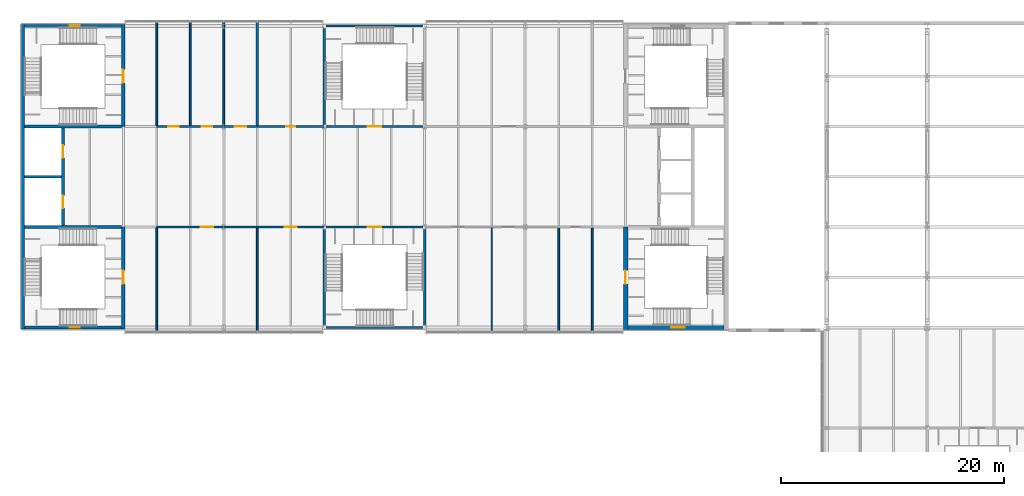
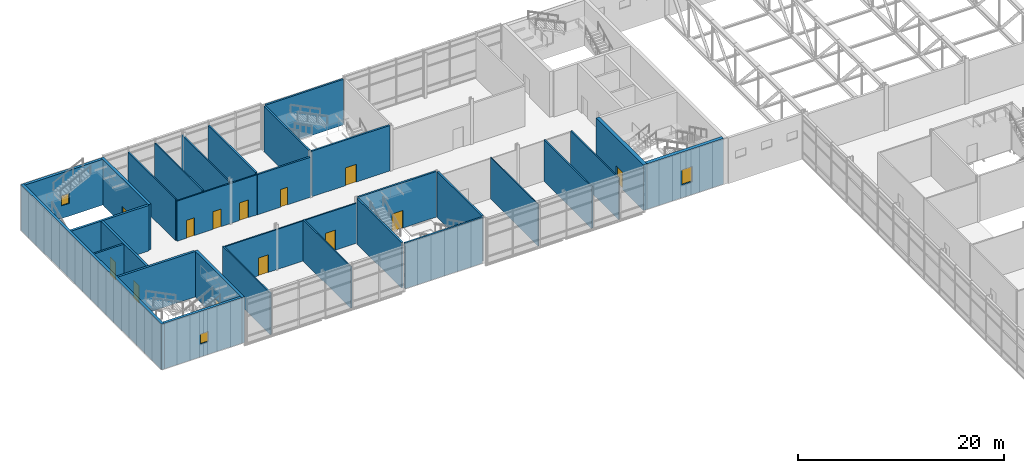
# One storey, part 37 of 53: 30 walls, 13 doors, 3 windows, 16 openings.
"""IFC4 building model written with IfcOpenShell, lengths in metres."""

from ifc_helpers import new_model, si_unit, direction, frame, frame_2d, origin, place, context, subcontext, project, spatial, rectangle, extrude, material, layer, layer_set, type_object, element, fill, save


model = new_model("IFC4")

# Units and contexts
model_context = context("Model", 3, precision=1e-05, world=origin(), true_north=direction((0.0, 1.0)))
body_context = subcontext(model_context, "Body", "Model", "MODEL_VIEW")
ifc_project = project(units=[si_unit("LENGTHUNIT", "METRE"), si_unit("AREAUNIT", "SQUARE_METRE"), si_unit("VOLUMEUNIT", "CUBIC_METRE"), si_unit("PLANEANGLEUNIT", "RADIAN"), si_unit("MASSUNIT", "GRAM", prefix="KILO")], contexts=[model_context])

# Site, building, storey
site_placement = place(None, origin())
site = spatial("IfcSite", under=ifc_project, at=site_placement, CompositionType="ELEMENT")
building_placement = place(site_placement, origin())
building = spatial("IfcBuilding", under=site, at=building_placement, Name="Azimuth Sports and Learning Centre", CompositionType="ELEMENT")
storey_placement = place(building_placement, frame((0.0, 0.0, 10.800048828125)))
storey = spatial("IfcBuildingStorey", under=building, at=storey_placement, Name="L02", CompositionType="ELEMENT", Elevation=10.800048828125)

# Walls
ifc_material_1 = material(Name="Dense masonry blockwork", Category="masonry")
ifc_layer_1 = layer(ifc_material_1, 0.199951171875)
ifc_layer_set_1 = layer_set([ifc_layer_1], Name="Dense masonry blockwork")
wall_type_1 = type_object("IfcWallType", Name="Blockwork wall 200 EI 120", PredefinedType="SOLIDWALL", material=ifc_layer_set_1)
wall_1_placement = place(storey_placement, frame((0.14990234375, 103.5, 0.0), z_axis=(0.0, 0.0, 1.0), x_axis=(1.0, 0.0, 0.0)))
element("IfcWall", 1, at=wall_1_placement, inside=storey, type_object=wall_type_1, Name="SD-WW-1-L02", PredefinedType="SOLIDWALL", context=body_context, shape_type="SweptSolid", body=[
    extrude(rectangle(XDim=3.3251953125, YDim=0.199951171875, at=frame_2d((1.66259765625, 0.0))), origin(), (0.0, 0.0, 1.0), 5.39990234375),
])
ifc_material_2 = material(Name="Gypsum board on steel studs", Category="steel")
ifc_layer_2 = layer(ifc_material_2, 0.10009765625)
ifc_layer_set_2 = layer_set([ifc_layer_2], Name="Gypsum board on steel studs")
wall_type_2 = type_object("IfcWallType", Name="Partition 100 EI 30", PredefinedType="PARTITIONING", material=ifc_layer_set_2)
wall_2_placement = place(storey_placement, frame((42.0, 89.699951171875, 0.0), z_axis=(0.0, 0.0, 1.0), x_axis=(0.0, 1.0, 0.0)))
element("IfcWall", 2, at=wall_2_placement, inside=storey, type_object=wall_type_2, Name="Partition 100 EI 30", PredefinedType="PARTITIONING", context=body_context, shape_type="SweptSolid", body=[
    extrude(rectangle(XDim=9.25, YDim=0.10009765625, at=frame_2d((4.625, 0.0))), origin(), (0.0, 0.0, 1.0), 4.919921875),
])

# Wall, openings, doors
ifc_material_3 = material(Name="Lightweight blockwork, rendered", Category="masonry")
ifc_layer_3 = layer(ifc_material_3, 0.14990234375)
ifc_layer_set_3 = layer_set([ifc_layer_3], Name="Lightweight blockwork, rendered")
wall_type_3 = type_object("IfcWallType", Name="Partition 150 EI 60", PredefinedType="PARTITIONING", material=ifc_layer_set_3)
wall_3_placement = place(storey_placement, frame((12.0, 99.0, 0.0), z_axis=(0.0, 0.0, 1.0), x_axis=(1.0, 0.0, 0.0)))
wall_3 = element("IfcWall", 3, at=wall_3_placement, inside=storey, type_object=wall_type_3, Name="Partition 150 EI 60", PredefinedType="PARTITIONING", context=body_context, shape_type="SweptSolid", body=[
    extrude(rectangle(XDim=15.0, YDim=0.14990234375, at=frame_2d((7.5, 0.0))), origin(), (0.0, 0.0, 1.0), 4.75),
])
opening_1_placement = place(wall_3_placement, frame((3.949951171875, 0.0, 0.0)))
opening_1 = element("IfcOpeningElement", 4, at=opening_1_placement, cuts=wall_3, Name="Opening D02-031", PredefinedType="OPENING", context=body_context, shape_type="SweptSolid", body=[
    extrude(rectangle(XDim=1.10009765625, YDim=2.10009765625, at=frame_2d((0.550048828125, 1.050048828125))), frame((0.0, 0.0859375, 0.0), z_axis=(0.0, -1.0, 0.0), x_axis=(1.0, 0.0, 0.0)), (0.0, 0.0, 1.0), 0.171875),
])
opening_2_placement = place(wall_3_placement, frame((11.449951171875, 0.0, 0.0)))
opening_2 = element("IfcOpeningElement", 5, at=opening_2_placement, cuts=wall_3, Name="Opening D02-032", PredefinedType="OPENING", context=body_context, shape_type="SweptSolid", body=[
    extrude(rectangle(XDim=1.10009765625, YDim=2.39990234375, at=frame_2d((0.550048828125, 1.199951171875))), frame((0.0, 0.0859375, 0.0), z_axis=(0.0, -1.0, 0.0), x_axis=(1.0, 0.0, 0.0)), (0.0, 0.0, 1.0), 0.171875),
])
ifc_material_4 = material(Name="Timber fire door set", Category="wood")
door_type_1 = type_object("IfcDoorType", Name="Timber door single 1100x2100 FD60", OperationType="NOTDEFINED", PredefinedType="DOOR", material=ifc_material_4)
door_1_placement = place(opening_1_placement, frame((1.10009765625, 0.0, 0.0), z_axis=(0.0, 0.0, 1.0), x_axis=(-1.0, 0.0, 0.0)))
door_1 = element("IfcDoor", 6, at=door_1_placement, inside=storey, type_object=door_type_1, Name="Door D02-031", OperationType="SINGLE_SWING_LEFT", OverallHeight=2.10009765625, OverallWidth=1.10009765625, PredefinedType="DOOR", context=body_context, shape_type="SweptSolid", body=[
    extrude(rectangle(XDim=1.10009765625, YDim=2.10009765625, at=frame_2d((0.550048828125, 1.050048828125))), frame((0.0, 0.02490234375, 0.0), z_axis=(0.0, -1.0, 0.0), x_axis=(1.0, 0.0, 0.0)), (0.0, 0.0, 1.0), 0.050048828125),
])
fill(opening_1, door_1)
ifc_material_5 = material(Name="Timber fire door set", Category="wood")
door_type_2 = type_object("IfcDoorType", Name="Timber door single 1100x2400 FD60", OperationType="NOTDEFINED", PredefinedType="DOOR", material=ifc_material_5)
door_2_placement = place(opening_2_placement, frame((1.10009765625, 0.0, 0.0), z_axis=(0.0, 0.0, 1.0), x_axis=(-1.0, 0.0, 0.0)))
door_2 = element("IfcDoor", 7, at=door_2_placement, inside=storey, type_object=door_type_2, Name="Door D02-032", OperationType="SINGLE_SWING_RIGHT", OverallHeight=2.39990234375, OverallWidth=1.10009765625, PredefinedType="DOOR", context=body_context, shape_type="SweptSolid", body=[
    extrude(rectangle(XDim=1.10009765625, YDim=2.39990234375, at=frame_2d((0.550048828125, 1.199951171875))), frame((0.0, 0.02490234375, 0.0), z_axis=(0.0, -1.0, 0.0), x_axis=(1.0, 0.0, 0.0)), (0.0, 0.0, 1.0), 0.050048828125),
])
fill(opening_2, door_2)

wall_4_placement = place(storey_placement, frame((12.0, 108.0, 0.0), z_axis=(0.0, 0.0, 1.0), x_axis=(1.0, 0.0, 0.0)))
wall_4 = element("IfcWall", 8, at=wall_4_placement, inside=storey, type_object=wall_type_3, Name="Partition 150 EI 60", PredefinedType="PARTITIONING", context=body_context, shape_type="SweptSolid", body=[
    extrude(rectangle(XDim=9.0, YDim=0.14990234375, at=frame_2d((4.5, 0.0))), origin(), (0.0, 0.0, 1.0), 4.75),
])
opening_3_placement = place(wall_4_placement, frame((1.050048828125, 0.0, 0.0)))
opening_3 = element("IfcOpeningElement", 9, at=opening_3_placement, cuts=wall_4, Name="Opening D02-036", PredefinedType="OPENING", context=body_context, shape_type="SweptSolid", body=[
    extrude(rectangle(XDim=0.89990234375, YDim=2.10009765625, at=frame_2d((0.449951171875, 1.050048828125))), frame((0.0, 0.0859375, 0.0), z_axis=(0.0, -1.0, 0.0), x_axis=(1.0, 0.0, 0.0)), (0.0, 0.0, 1.0), 0.171875),
])
opening_4_placement = place(wall_4_placement, frame((4.050048828125, 0.0, 0.0)))
opening_4 = element("IfcOpeningElement", 10, at=opening_4_placement, cuts=wall_4, Name="Opening D02-037", PredefinedType="OPENING", context=body_context, shape_type="SweptSolid", body=[
    extrude(rectangle(XDim=0.89990234375, YDim=2.10009765625, at=frame_2d((0.449951171875, 1.050048828125))), frame((0.0, 0.0859375, 0.0), z_axis=(0.0, -1.0, 0.0), x_axis=(1.0, 0.0, 0.0)), (0.0, 0.0, 1.0), 0.171875),
])
opening_5_placement = place(wall_4_placement, frame((7.0, 0.0, 0.0)))
opening_5 = element("IfcOpeningElement", 11, at=opening_5_placement, cuts=wall_4, Name="Opening D02-038", PredefinedType="OPENING", context=body_context, shape_type="SweptSolid", body=[
    extrude(rectangle(XDim=1.0, YDim=2.10009765625, at=frame_2d((0.5, 1.050048828125))), frame((0.0, 0.0859375, 0.0), z_axis=(0.0, -1.0, 0.0), x_axis=(1.0, 0.0, 0.0)), (0.0, 0.0, 1.0), 0.171875),
])
ifc_material_6 = material(Name="Timber fire door set", Category="wood")
door_type_3 = type_object("IfcDoorType", Name="Timber door single 1000x2100 FD60", OperationType="NOTDEFINED", PredefinedType="DOOR", material=ifc_material_6)
door_3_placement = place(opening_5_placement, origin())
door_3 = element("IfcDoor", 12, at=door_3_placement, inside=storey, type_object=door_type_3, Name="Door D02-038", OperationType="SINGLE_SWING_LEFT", OverallHeight=2.10009765625, OverallWidth=1.0, PredefinedType="DOOR", context=body_context, shape_type="SweptSolid", body=[
    extrude(rectangle(XDim=1.0, YDim=2.10009765625, at=frame_2d((0.5, 1.050048828125))), frame((0.0, 0.02490234375, 0.0), z_axis=(0.0, -1.0, 0.0), x_axis=(1.0, 0.0, 0.0)), (0.0, 0.0, 1.0), 0.050048828125),
])
fill(opening_5, door_3)
ifc_material_7 = material(Name="Timber fire door set", Category="wood")
door_type_4 = type_object("IfcDoorType", Name="Timber door single 900x2100 FD60", OperationType="NOTDEFINED", PredefinedType="DOOR", material=ifc_material_7)
door_4_placement = place(opening_3_placement, origin())
door_4 = element("IfcDoor", 13, at=door_4_placement, inside=storey, type_object=door_type_4, Name="Door D02-036", OperationType="SINGLE_SWING_RIGHT", OverallHeight=2.10009765625, OverallWidth=0.89990234375, PredefinedType="DOOR", context=body_context, shape_type="SweptSolid", body=[
    extrude(rectangle(XDim=0.89990234375, YDim=2.10009765625, at=frame_2d((0.449951171875, 1.050048828125))), frame((0.0, 0.02490234375, 0.0), z_axis=(0.0, -1.0, 0.0), x_axis=(1.0, 0.0, 0.0)), (0.0, 0.0, 1.0), 0.050048828125),
])
fill(opening_3, door_4)
door_5_placement = place(opening_4_placement, origin())
door_5 = element("IfcDoor", 14, at=door_5_placement, inside=storey, type_object=door_type_4, Name="Door D02-037", OperationType="SINGLE_SWING_LEFT", OverallHeight=2.10009765625, OverallWidth=0.89990234375, PredefinedType="DOOR", context=body_context, shape_type="SweptSolid", body=[
    extrude(rectangle(XDim=0.89990234375, YDim=2.10009765625, at=frame_2d((0.449951171875, 1.050048828125))), frame((0.0, 0.02490234375, 0.0), z_axis=(0.0, -1.0, 0.0), x_axis=(1.0, 0.0, 0.0)), (0.0, 0.0, 1.0), 0.050048828125),
])
fill(opening_4, door_5)

# Walls
for number, where, z_axis, x_axis, name in (
    (15, (12.0, 89.699951171875, 0.0), (0.0, 0.0, 1.0), (0.0, 1.0, 0.0), "Partition 150 EI 60"),
    (16, (12.0, 108.074951171875, 0.0), (0.0, 0.0, 1.0), (0.0, 1.0, 0.0), "Partition 150 EI 60"),
    (17, (15.0, 108.074951171875, 0.0), (0.0, 0.0, 1.0), (0.0, 1.0, 0.0), "Partition 150 EI 60"),
):
    element("IfcWall", number, at=place(storey_placement, frame(where, z_axis=z_axis, x_axis=x_axis)), inside=storey, type_object=wall_type_3, Name=name, PredefinedType="PARTITIONING", context=body_context, shape_type="SweptSolid", body=[
        extrude(rectangle(XDim=9.22509765625, YDim=0.14990234375, at=frame_2d((4.612548828125, 0.0))), origin(), (0.0, 0.0, 1.0), 4.919921875),
    ])
wall_5_placement = place(storey_placement, frame((18.0, 108.074951171875, 0.0), z_axis=(0.0, 0.0, 1.0), x_axis=(0.0, 1.0, 0.0)))
element("IfcWall", 18, at=wall_5_placement, inside=storey, type_object=wall_type_3, Name="Partition 150 EI 60", PredefinedType="PARTITIONING", context=body_context, shape_type="SweptSolid", body=[
    extrude(rectangle(XDim=9.22509765625, YDim=0.14990234375, at=frame_2d((4.612548828125, 0.0))), origin(), (0.0, 0.0, 1.0), 4.889892578125),
])
for number, where, z_axis, x_axis, name in (
    (19, (21.0, 89.699951171875, 0.0), (0.0, 0.0, 1.0), (0.0, 1.0, 0.0), "Partition 150 EI 60"),
    (20, (48.0, 89.699951171875, 0.0), (0.0, 0.0, 1.0), (0.0, 1.0, 0.0), "Partition 150 EI 60"),
    (21, (51.0, 89.699951171875, 0.0), (0.0, 0.0, 1.0), (0.0, 1.0, 0.0), "Partition 150 EI 60"),
):
    element("IfcWall", number, at=place(storey_placement, frame(where, z_axis=z_axis, x_axis=x_axis)), inside=storey, type_object=wall_type_3, Name=name, PredefinedType="PARTITIONING", context=body_context, shape_type="SweptSolid", body=[
        extrude(rectangle(XDim=9.22509765625, YDim=0.14990234375, at=frame_2d((4.612548828125, 0.0))), origin(), (0.0, 0.0, 1.0), 4.919921875),
    ])

# Wall, opening, door
ifc_material_8 = material(Name="Reinforced masonry blockwork", Category="masonry")
ifc_layer_4 = layer(ifc_material_8, 0.199951171875)
ifc_layer_set_4 = layer_set([ifc_layer_4], Name="Reinforced masonry blockwork")
wall_type_4 = type_object("IfcWallType", Name="Plant and shaft wall 200 EI 120", PredefinedType="SOLIDWALL", material=ifc_layer_set_4)
wall_6_placement = place(storey_placement, frame((21.0, 108.0, 0.0), z_axis=(0.0, 0.0, 1.0), x_axis=(1.0, 0.0, 0.0)))
wall_6 = element("IfcWall", 22, at=wall_6_placement, inside=storey, type_object=wall_type_4, Name="Plant and shaft wall 200 EI 120", PredefinedType="SOLIDWALL", context=body_context, shape_type="SweptSolid", body=[
    extrude(rectangle(XDim=6.0, YDim=0.199951171875, at=frame_2d((3.0, 0.0))), origin(), (0.0, 0.0, 1.0), 4.75),
])
opening_6_placement = place(wall_6_placement, frame((2.60009765625, 0.0, 0.0)))
opening_6 = element("IfcOpeningElement", 23, at=opening_6_placement, cuts=wall_6, Name="Opening D02-039", PredefinedType="OPENING", context=body_context, shape_type="SweptSolid", body=[
    extrude(rectangle(XDim=0.800048828125, YDim=2.10009765625, at=frame_2d((0.39990234375, 1.050048828125))), frame((0.0, 0.11083984375, 0.0), z_axis=(0.0, -1.0, 0.0), x_axis=(1.0, 0.0, 0.0)), (0.0, 0.0, 1.0), 0.221923828125),
])
ifc_material_9 = material(Name="Steel fire door set", Category="steel")
door_type_5 = type_object("IfcDoorType", Name="Steel door single 800x2100 FD120", OperationType="NOTDEFINED", PredefinedType="DOOR", material=ifc_material_9)
door_6_placement = place(opening_6_placement, origin())
door_6 = element("IfcDoor", 24, at=door_6_placement, inside=storey, type_object=door_type_5, Name="Door D02-039", OperationType="SINGLE_SWING_RIGHT", OverallHeight=2.10009765625, OverallWidth=0.800048828125, PredefinedType="DOOR", context=body_context, shape_type="SweptSolid", body=[
    extrude(rectangle(XDim=0.800048828125, YDim=2.10009765625, at=frame_2d((0.39990234375, 1.050048828125))), frame((0.0, 0.02490234375, 0.0), z_axis=(0.0, -1.0, 0.0), x_axis=(1.0, 0.0, 0.0)), (0.0, 0.0, 1.0), 0.050048828125),
])
fill(opening_6, door_6)

# Wall
wall_7_placement = place(storey_placement, frame((21.0, 108.10009765625, 0.0), z_axis=(0.0, 0.0, 1.0), x_axis=(0.0, 1.0, 0.0)))
element("IfcWall", 25, at=wall_7_placement, inside=storey, type_object=wall_type_4, Name="Plant and shaft wall 200 EI 120", PredefinedType="SOLIDWALL", context=body_context, shape_type="SweptSolid", body=[
    extrude(rectangle(XDim=9.199951171875, YDim=0.199951171875, at=frame_2d((4.60009765625, 0.0))), origin(), (0.0, 0.0, 1.0), 4.919921875),
])

# Wall, opening, door
ifc_material_10 = material(Name="Concrete C40/50", Category="concrete")
ifc_layer_5 = layer(ifc_material_10, 0.199951171875)
ifc_layer_set_5 = layer_set([ifc_layer_5], Name="Concrete C40/50")
wall_type_5 = type_object("IfcWallType", Name="RC cell wall 200 EI 120", PredefinedType="SHEAR", material=ifc_layer_set_5)
wall_8_placement = place(storey_placement, frame((27.14990234375, 99.0, 0.0), z_axis=(0.0, 0.0, 1.0), x_axis=(1.0, 0.0, 0.0)))
wall_8 = element("IfcWall", 26, at=wall_8_placement, inside=storey, type_object=wall_type_5, Name="CE-WM1-N-L02", PredefinedType="SHEAR", context=body_context, shape_type="SweptSolid", body=[
    extrude(rectangle(XDim=8.7001953125, YDim=0.199951171875, at=frame_2d((4.35009765625, 0.0))), origin(), (0.0, 0.0, 1.0), 5.39990234375),
])
opening_7_placement = place(wall_8_placement, frame((3.75, 0.0, 0.0)))
opening_7 = element("IfcOpeningElement", 27, at=opening_7_placement, cuts=wall_8, Name="Opening D02-009", PredefinedType="OPENING", context=body_context, shape_type="SweptSolid", body=[
    extrude(rectangle(XDim=1.199951171875, YDim=2.10009765625, at=frame_2d((0.60009765625, 1.050048828125))), frame((0.0, 0.11083984375, 0.0), z_axis=(0.0, -1.0, 0.0), x_axis=(1.0, 0.0, 0.0)), (0.0, 0.0, 1.0), 0.221923828125),
])
ifc_material_11 = material(Name="Steel", Category="steel")
door_type_6 = type_object("IfcDoorType", Name="Stair fire door 1200 x 2100", OperationType="NOTDEFINED", PredefinedType="DOOR", material=ifc_material_11)
door_7_placement = place(opening_7_placement, origin())
door_7 = element("IfcDoor", 28, at=door_7_placement, inside=storey, type_object=door_type_6, Name="Stair door WM1 L02", OperationType="SINGLE_SWING_LEFT", OverallHeight=2.10009765625, OverallWidth=1.199951171875, PredefinedType="DOOR", context=body_context, shape_type="SweptSolid", body=[
    extrude(rectangle(XDim=1.199951171875, YDim=2.10009765625, at=frame_2d((0.60009765625, 1.050048828125))), frame((0.0, 0.02490234375, 0.0), z_axis=(0.0, -1.0, 0.0), x_axis=(1.0, 0.0, 0.0)), (0.0, 0.0, 1.0), 0.050048828125),
])
fill(opening_7, door_7)

# Walls
for number, where, z_axis, x_axis, name in (
    (29, (27.0, 90.179931640625, 0.0), (0.0, 0.0, 1.0), (0.0, 1.0, 0.0), "CE-WM1-W-L02"),
    (30, (36.0, 90.179931640625, 0.0), (0.0, 0.0, 1.0), (0.0, 1.0, 0.0), "CE-WM1-E-L02"),
):
    element("IfcWall", number, at=place(storey_placement, frame(where, z_axis=z_axis, x_axis=x_axis)), inside=storey, type_object=wall_type_5, Name=name, PredefinedType="SHEAR", context=body_context, shape_type="SweptSolid", body=[
        extrude(rectangle(XDim=8.64013671875, YDim=0.199951171875, at=frame_2d((4.320068359375, 0.0))), origin(), (0.0, 0.0, 1.0), 5.39990234375),
    ])

# Wall, opening, door
wall_9_placement = place(storey_placement, frame((27.14990234375, 108.0, 0.0), z_axis=(0.0, 0.0, 1.0), x_axis=(1.0, 0.0, 0.0)))
wall_9 = element("IfcWall", 31, at=wall_9_placement, inside=storey, type_object=wall_type_5, Name="CE-WM2-S-L02", PredefinedType="SHEAR", context=body_context, shape_type="SweptSolid", body=[
    extrude(rectangle(XDim=8.7001953125, YDim=0.199951171875, at=frame_2d((4.35009765625, 0.0))), origin(), (0.0, 0.0, 1.0), 5.39990234375),
])
opening_8_placement = place(wall_9_placement, frame((3.75, 0.0, 0.0)))
opening_8 = element("IfcOpeningElement", 32, at=opening_8_placement, cuts=wall_9, Name="Opening D02-010", PredefinedType="OPENING", context=body_context, shape_type="SweptSolid", body=[
    extrude(rectangle(XDim=1.199951171875, YDim=2.10009765625, at=frame_2d((0.60009765625, 1.050048828125))), frame((0.0, 0.11083984375, 0.0), z_axis=(0.0, -1.0, 0.0), x_axis=(1.0, 0.0, 0.0)), (0.0, 0.0, 1.0), 0.221923828125),
])
door_8_placement = place(opening_8_placement, frame((1.199951171875, 0.0, 0.0), z_axis=(0.0, 0.0, 1.0), x_axis=(-1.0, 0.0, 0.0)))
door_8 = element("IfcDoor", 33, at=door_8_placement, inside=storey, type_object=door_type_6, Name="Stair door WM2 L02", OperationType="SINGLE_SWING_RIGHT", OverallHeight=2.10009765625, OverallWidth=1.199951171875, PredefinedType="DOOR", context=body_context, shape_type="SweptSolid", body=[
    extrude(rectangle(XDim=1.199951171875, YDim=2.10009765625, at=frame_2d((0.60009765625, 1.050048828125))), frame((0.0, 0.02490234375, 0.0), z_axis=(0.0, -1.0, 0.0), x_axis=(1.0, 0.0, 0.0)), (0.0, 0.0, 1.0), 0.050048828125),
])
fill(opening_8, door_8)

# Walls
wall_10_placement = place(storey_placement, frame((27.0, 108.179931640625, 0.0), z_axis=(0.0, 0.0, 1.0), x_axis=(0.0, 1.0, 0.0)))
element("IfcWall", 34, at=wall_10_placement, inside=storey, type_object=wall_type_5, Name="CE-WM2-W-L02", PredefinedType="SHEAR", context=body_context, shape_type="SweptSolid", body=[
    extrude(rectangle(XDim=8.64013671875, YDim=0.199951171875, at=frame_2d((4.320068359375, 0.0))), origin(), (0.0, 0.0, 1.0), 5.39990234375),
])
ifc_material_12 = material(Name="Concrete C40/50", Category="concrete")
ifc_layer_6 = layer(ifc_material_12, 0.25)
ifc_layer_set_6 = layer_set([ifc_layer_6], Name="Concrete C40/50")
wall_type_6 = type_object("IfcWallType", Name="RC core wall 250", PredefinedType="SHEAR", material=ifc_layer_set_6)
for number, where, z_axis, x_axis, name in (
    (35, (0.14990234375, 99.0, 0.0), (0.0, 0.0, 1.0), (1.0, 0.0, 0.0), "Core wall WW D1 L02"),
    (36, (0.14990234375, 108.0, 0.0), (0.0, 0.0, 1.0), (1.0, 0.0, 0.0), "Core wall WW D2 L02"),
):
    element("IfcWall", number, at=place(storey_placement, frame(where, z_axis=z_axis, x_axis=x_axis)), inside=storey, type_object=wall_type_6, Name=name, PredefinedType="SHEAR", context=body_context, shape_type="SweptSolid", body=[
        extrude(rectangle(XDim=8.7001953125, YDim=0.25, at=frame_2d((4.35009765625, 0.0))), origin(), (0.0, 0.0, 1.0), 5.39990234375),
    ])

# Wall, openings, doors
wall_11_placement = place(storey_placement, frame((3.60009765625, 99.125, 0.0), z_axis=(0.0, 0.0, 1.0), x_axis=(0.0, 1.0, 0.0)))
wall_11 = element("IfcWall", 37, at=wall_11_placement, inside=storey, type_object=wall_type_6, Name="Core wall WW LB1 L02", PredefinedType="SHEAR", context=body_context, shape_type="SweptSolid", body=[
    extrude(rectangle(XDim=8.75, YDim=0.25, at=frame_2d((4.375, 0.0))), origin(), (0.0, 0.0, 1.0), 5.39990234375),
])
opening_9_placement = place(wall_11_placement, frame((1.574951171875, 0.0, 0.0)))
opening_9 = element("IfcOpeningElement", 38, at=opening_9_placement, cuts=wall_11, Name="Opening D02-025", PredefinedType="OPENING", context=body_context, shape_type="SweptSolid", body=[
    extrude(rectangle(XDim=1.10009765625, YDim=2.10009765625, at=frame_2d((0.550048828125, 1.050048828125))), frame((0.0, 0.135986328125, 0.0), z_axis=(0.0, -1.0, 0.0), x_axis=(1.0, 0.0, 0.0)), (0.0, 0.0, 1.0), 0.27197265625),
])
opening_10_placement = place(wall_11_placement, frame((6.074951171875, 0.0, 0.0)))
opening_10 = element("IfcOpeningElement", 39, at=opening_10_placement, cuts=wall_11, Name="Opening D02-026", PredefinedType="OPENING", context=body_context, shape_type="SweptSolid", body=[
    extrude(rectangle(XDim=1.10009765625, YDim=2.10009765625, at=frame_2d((0.550048828125, 1.050048828125))), frame((0.0, 0.135986328125, 0.0), z_axis=(0.0, -1.0, 0.0), x_axis=(1.0, 0.0, 0.0)), (0.0, 0.0, 1.0), 0.27197265625),
])
ifc_material_13 = material(Name="Stainless steel", Category="steel")
door_type_7 = type_object("IfcDoorType", Name="Lift landing door 1100 x 2100", OperationType="DOUBLE_DOOR_SLIDING", PredefinedType="DOOR", material=ifc_material_13)
door_9_placement = place(opening_9_placement, origin())
door_9 = element("IfcDoor", 40, at=door_9_placement, inside=storey, type_object=door_type_7, Name="Landing door LWW1 L02", OperationType="DOUBLE_DOOR_SLIDING", OverallHeight=2.10009765625, OverallWidth=1.10009765625, PredefinedType="DOOR", context=body_context, shape_type="SweptSolid", body=[
    extrude(rectangle(XDim=1.10009765625, YDim=2.10009765625, at=frame_2d((0.550048828125, 1.050048828125))), frame((0.0, 0.02490234375, 0.0), z_axis=(0.0, -1.0, 0.0), x_axis=(1.0, 0.0, 0.0)), (0.0, 0.0, 1.0), 0.050048828125),
])
fill(opening_9, door_9)
door_10_placement = place(opening_10_placement, origin())
door_10 = element("IfcDoor", 41, at=door_10_placement, inside=storey, type_object=door_type_7, Name="Landing door LWW2 L02", OperationType="DOUBLE_DOOR_SLIDING", OverallHeight=2.10009765625, OverallWidth=1.10009765625, PredefinedType="DOOR", context=body_context, shape_type="SweptSolid", body=[
    extrude(rectangle(XDim=1.10009765625, YDim=2.10009765625, at=frame_2d((0.550048828125, 1.050048828125))), frame((0.0, 0.02490234375, 0.0), z_axis=(0.0, -1.0, 0.0), x_axis=(1.0, 0.0, 0.0)), (0.0, 0.0, 1.0), 0.050048828125),
])
fill(opening_10, door_10)

# Wall, opening, door
ifc_material_14 = material(Name="Concrete C40/50", Category="concrete")
ifc_layer_7 = layer(ifc_material_14, 0.300048828125)
ifc_layer_set_7 = layer_set([ifc_layer_7], Name="Concrete C40/50")
wall_type_7 = type_object("IfcWallType", Name="RC core wall 300", PredefinedType="SHEAR", material=ifc_layer_set_7)
wall_12_placement = place(storey_placement, frame((9.0, 89.85009765625, 0.0), z_axis=(0.0, 0.0, 1.0), x_axis=(0.0, 1.0, 0.0)))
wall_12 = element("IfcWall", 42, at=wall_12_placement, inside=storey, type_object=wall_type_7, Name="Core wall WW ES L02", PredefinedType="SHEAR", context=body_context, shape_type="SweptSolid", body=[
    extrude(rectangle(XDim=9.14990234375, YDim=0.300048828125, at=frame_2d((4.574951171875, 0.0))), origin(), (0.0, 0.0, 1.0), 5.39990234375),
])
opening_11_placement = place(wall_12_placement, frame((4.050048828125, 0.0, 0.0)))
opening_11 = element("IfcOpeningElement", 43, at=opening_11_placement, cuts=wall_12, Name="Opening D02-005", PredefinedType="OPENING", context=body_context, shape_type="SweptSolid", body=[
    extrude(rectangle(XDim=1.199951171875, YDim=2.10009765625, at=frame_2d((0.60009765625, 1.050048828125))), frame((0.0, 0.1611328125, 0.0), z_axis=(0.0, -1.0, 0.0), x_axis=(1.0, 0.0, 0.0)), (0.0, 0.0, 1.0), 0.322021484375),
])
door_11_placement = place(opening_11_placement, frame((1.199951171875, 0.0, 0.0), z_axis=(0.0, 0.0, 1.0), x_axis=(-1.0, 0.0, 0.0)))
door_11 = element("IfcDoor", 44, at=door_11_placement, inside=storey, type_object=door_type_6, Name="Stair door WW1 L02", OperationType="SINGLE_SWING_LEFT", OverallHeight=2.10009765625, OverallWidth=1.199951171875, PredefinedType="DOOR", context=body_context, shape_type="SweptSolid", body=[
    extrude(rectangle(XDim=1.199951171875, YDim=2.10009765625, at=frame_2d((0.60009765625, 1.050048828125))), frame((0.0, 0.02490234375, 0.0), z_axis=(0.0, -1.0, 0.0), x_axis=(1.0, 0.0, 0.0)), (0.0, 0.0, 1.0), 0.050048828125),
])
fill(opening_11, door_11)

wall_13_placement = place(storey_placement, frame((9.0, 108.0, 0.0), z_axis=(0.0, 0.0, 1.0), x_axis=(0.0, 1.0, 0.0)))
wall_13 = element("IfcWall", 45, at=wall_13_placement, inside=storey, type_object=wall_type_7, Name="Core wall WW EN L02", PredefinedType="SHEAR", context=body_context, shape_type="SweptSolid", body=[
    extrude(rectangle(XDim=9.14990234375, YDim=0.300048828125, at=frame_2d((4.574951171875, 0.0))), origin(), (0.0, 0.0, 1.0), 5.39990234375),
])
opening_12_placement = place(wall_13_placement, frame((3.89990234375, 0.0, 0.0)))
opening_12 = element("IfcOpeningElement", 46, at=opening_12_placement, cuts=wall_13, Name="Opening D02-006", PredefinedType="OPENING", context=body_context, shape_type="SweptSolid", body=[
    extrude(rectangle(XDim=1.199951171875, YDim=2.10009765625, at=frame_2d((0.60009765625, 1.050048828125))), frame((0.0, 0.1611328125, 0.0), z_axis=(0.0, -1.0, 0.0), x_axis=(1.0, 0.0, 0.0)), (0.0, 0.0, 1.0), 0.322021484375),
])
door_12_placement = place(opening_12_placement, frame((1.199951171875, 0.0, 0.0), z_axis=(0.0, 0.0, 1.0), x_axis=(-1.0, 0.0, 0.0)))
door_12 = element("IfcDoor", 47, at=door_12_placement, inside=storey, type_object=door_type_6, Name="Stair door WW2 L02", OperationType="SINGLE_SWING_RIGHT", OverallHeight=2.10009765625, OverallWidth=1.199951171875, PredefinedType="DOOR", context=body_context, shape_type="SweptSolid", body=[
    extrude(rectangle(XDim=1.199951171875, YDim=2.10009765625, at=frame_2d((0.60009765625, 1.050048828125))), frame((0.0, 0.02490234375, 0.0), z_axis=(0.0, -1.0, 0.0), x_axis=(1.0, 0.0, 0.0)), (0.0, 0.0, 1.0), 0.050048828125),
])
fill(opening_12, door_12)

ifc_material_15 = material(Name="Concrete C40/50", Category="concrete")
ifc_layer_8 = layer(ifc_material_15, 0.39990234375)
ifc_layer_set_8 = layer_set([ifc_layer_8], Name="Concrete C40/50")
wall_type_8 = type_object("IfcWallType", Name="RC core wall 400", PredefinedType="SHEAR", material=ifc_layer_set_8)
wall_14_placement = place(storey_placement, frame((54.0, 89.800048828125, 0.0), z_axis=(0.0, 0.0, 1.0), x_axis=(0.0, 1.0, 0.0)))
wall_14 = element("IfcWall", 48, at=wall_14_placement, inside=storey, type_object=wall_type_8, Name="Core wall W WS L02", PredefinedType="SHEAR", context=body_context, shape_type="SweptSolid", body=[
    extrude(rectangle(XDim=9.199951171875, YDim=0.39990234375, at=frame_2d((4.60009765625, 0.0))), origin(), (0.0, 0.0, 1.0), 5.39990234375),
])
opening_13_placement = place(wall_14_placement, frame((4.10009765625, 0.0, 0.0)))
opening_13 = element("IfcOpeningElement", 49, at=opening_13_placement, cuts=wall_14, Name="Opening D02-001", PredefinedType="OPENING", context=body_context, shape_type="SweptSolid", body=[
    extrude(rectangle(XDim=1.199951171875, YDim=2.10009765625, at=frame_2d((0.60009765625, 1.050048828125))), frame((0.0, 0.2109375, 0.0), z_axis=(0.0, -1.0, 0.0), x_axis=(1.0, 0.0, 0.0)), (0.0, 0.0, 1.0), 0.421875),
])
door_13_placement = place(opening_13_placement, origin())
door_13 = element("IfcDoor", 50, at=door_13_placement, inside=storey, type_object=door_type_6, Name="Stair door W1 L02", OperationType="SINGLE_SWING_RIGHT", OverallHeight=2.10009765625, OverallWidth=1.199951171875, PredefinedType="DOOR", context=body_context, shape_type="SweptSolid", body=[
    extrude(rectangle(XDim=1.199951171875, YDim=2.10009765625, at=frame_2d((0.60009765625, 1.050048828125))), frame((0.0, 0.02490234375, 0.0), z_axis=(0.0, -1.0, 0.0), x_axis=(1.0, 0.0, 0.0)), (0.0, 0.0, 1.0), 0.050048828125),
])
fill(opening_13, door_13)

# Walls
ifc_material_16 = material(Name="Concrete C40/50", Category="concrete")
ifc_layer_9 = layer(ifc_material_16, 0.199951171875)
ifc_layer_set_9 = layer_set([ifc_layer_9], Name="Concrete C40/50")
wall_type_9 = type_object("IfcWallType", Name="RC external cell wall 200 EI 120", PredefinedType="SHEAR", material=ifc_layer_set_9)
for number, where, z_axis, x_axis, name in (
    (51, (27.14990234375, 90.0, 0.0), (0.0, 0.0, 1.0), (1.0, 0.0, 0.0), "CE-WM1-S-L02"),
    (52, (27.14990234375, 117.0, 0.0), (0.0, 0.0, 1.0), (1.0, 0.0, 0.0), "CE-WM2-N-L02"),
):
    element("IfcWall", number, at=place(storey_placement, frame(where, z_axis=z_axis, x_axis=x_axis)), inside=storey, type_object=wall_type_9, Name=name, PredefinedType="SHEAR", context=body_context, shape_type="SweptSolid", body=[
        extrude(rectangle(XDim=8.7001953125, YDim=0.199951171875, at=frame_2d((4.35009765625, 0.0))), origin(), (0.0, 0.0, 1.0), 5.39990234375),
    ])

# Wall, opening, window
ifc_material_17 = material(Name="Concrete C40/50", Category="concrete")
ifc_layer_10 = layer(ifc_material_17, 0.300048828125)
ifc_layer_set_10 = layer_set([ifc_layer_10], Name="Concrete C40/50")
wall_type_10 = type_object("IfcWallType", Name="RC external core wall 300", PredefinedType="SHEAR", material=ifc_layer_set_10)
wall_15_placement = place(storey_placement, frame((0.14990234375, 90.0, 0.0), z_axis=(0.0, 0.0, 1.0), x_axis=(1.0, 0.0, 0.0)))
wall_15 = element("IfcWall", 53, at=wall_15_placement, inside=storey, type_object=wall_type_10, Name="Core wall WW S L02", PredefinedType="SHEAR", context=body_context, shape_type="SweptSolid", body=[
    extrude(rectangle(XDim=8.7001953125, YDim=0.300048828125, at=frame_2d((4.35009765625, 0.0))), origin(), (0.0, 0.0, 1.0), 5.39990234375),
])
opening_14_placement = place(wall_15_placement, frame((4.050048828125, 0.0, 1.5)))
opening_14 = element("IfcOpeningElement", 54, at=opening_14_placement, cuts=wall_15, Name="Opening W02-001", PredefinedType="OPENING", context=body_context, shape_type="SweptSolid", body=[
    extrude(rectangle(XDim=0.89990234375, YDim=1.199951171875, at=frame_2d((0.449951171875, 0.60009765625))), frame((0.0, 0.1611328125, 0.0), z_axis=(0.0, -1.0, 0.0), x_axis=(1.0, 0.0, 0.0)), (0.0, 0.0, 1.0), 0.322021484375),
])
ifc_material_18 = material(Name="Aluminium and glass", Category="aluminium")
window_type_1 = type_object("IfcWindowType", Name="Stair window end core 900x1200", PartitioningType="SINGLE_PANEL", PredefinedType="WINDOW", material=ifc_material_18)
window_1_placement = place(opening_14_placement, origin())
window_1 = element("IfcWindow", 55, at=window_1_placement, inside=storey, type_object=window_type_1, Name="Window W02-001", OverallHeight=1.199951171875, OverallWidth=0.89990234375, PartitioningType="SINGLE_PANEL", PredefinedType="WINDOW", context=body_context, shape_type="SweptSolid", body=[
    extrude(rectangle(XDim=0.89990234375, YDim=1.199951171875, at=frame_2d((0.449951171875, 0.60009765625))), frame((0.0, 0.030029296875, 0.0), z_axis=(0.0, -1.0, 0.0), x_axis=(1.0, 0.0, 0.0)), (0.0, 0.0, 1.0), 0.06005859375),
])
fill(opening_14, window_1)

wall_16_placement = place(storey_placement, frame((0.14990234375, 117.0, 0.0), z_axis=(0.0, 0.0, 1.0), x_axis=(1.0, 0.0, 0.0)))
wall_16 = element("IfcWall", 56, at=wall_16_placement, inside=storey, type_object=wall_type_10, Name="Core wall WW N L02", PredefinedType="SHEAR", context=body_context, shape_type="SweptSolid", body=[
    extrude(rectangle(XDim=8.7001953125, YDim=0.300048828125, at=frame_2d((4.35009765625, 0.0))), origin(), (0.0, 0.0, 1.0), 5.39990234375),
])
opening_15_placement = place(wall_16_placement, frame((4.050048828125, 0.0, 1.5)))
opening_15 = element("IfcOpeningElement", 57, at=opening_15_placement, cuts=wall_16, Name="Opening W02-020", PredefinedType="OPENING", context=body_context, shape_type="SweptSolid", body=[
    extrude(rectangle(XDim=0.89990234375, YDim=1.199951171875, at=frame_2d((0.449951171875, 0.60009765625))), frame((0.0, 0.1611328125, 0.0), z_axis=(0.0, -1.0, 0.0), x_axis=(1.0, 0.0, 0.0)), (0.0, 0.0, 1.0), 0.322021484375),
])
window_2_placement = place(opening_15_placement, origin())
window_2 = element("IfcWindow", 58, at=window_2_placement, inside=storey, type_object=window_type_1, Name="Window W02-020", OverallHeight=1.199951171875, OverallWidth=0.89990234375, PartitioningType="SINGLE_PANEL", PredefinedType="WINDOW", context=body_context, shape_type="SweptSolid", body=[
    extrude(rectangle(XDim=0.89990234375, YDim=1.199951171875, at=frame_2d((0.449951171875, 0.60009765625))), frame((0.0, 0.030029296875, 0.0), z_axis=(0.0, -1.0, 0.0), x_axis=(1.0, 0.0, 0.0)), (0.0, 0.0, 1.0), 0.06005859375),
])
fill(opening_15, window_2)

# Wall
wall_17_placement = place(storey_placement, frame((0.0, 89.85009765625, 0.0), z_axis=(0.0, 0.0, 1.0), x_axis=(0.0, 1.0, 0.0)))
element("IfcWall", 59, at=wall_17_placement, inside=storey, type_object=wall_type_10, Name="Core wall WW W L02", PredefinedType="SHEAR", context=body_context, shape_type="SweptSolid", body=[
    extrude(rectangle(XDim=27.2998046875, YDim=0.300048828125, at=frame_2d((13.64990234375, 0.0))), origin(), (0.0, 0.0, 1.0), 5.39990234375),
])

# Wall, opening, window
ifc_material_19 = material(Name="Concrete C40/50", Category="concrete")
ifc_layer_11 = layer(ifc_material_19, 0.39990234375)
ifc_layer_set_11 = layer_set([ifc_layer_11], Name="Concrete C40/50")
wall_type_11 = type_object("IfcWallType", Name="RC external core wall 400", PredefinedType="SHEAR", material=ifc_layer_set_11)
wall_18_placement = place(storey_placement, frame((54.199951171875, 90.0, 0.0), z_axis=(0.0, 0.0, 1.0), x_axis=(1.0, 0.0, 0.0)))
wall_18 = element("IfcWall", 60, at=wall_18_placement, inside=storey, type_object=wall_type_11, Name="Core wall W S L02", PredefinedType="SHEAR", context=body_context, shape_type="SweptSolid", body=[
    extrude(rectangle(XDim=8.60009765625, YDim=0.39990234375, at=frame_2d((4.300048828125, 0.0))), origin(), (0.0, 0.0, 1.0), 5.39990234375),
])
opening_16_placement = place(wall_18_placement, frame((3.89990234375, 0.0, 1.5)))
opening_16 = element("IfcOpeningElement", 61, at=opening_16_placement, cuts=wall_18, Name="Opening W02-002", PredefinedType="OPENING", context=body_context, shape_type="SweptSolid", body=[
    extrude(rectangle(XDim=1.199951171875, YDim=1.800048828125, at=frame_2d((0.60009765625, 0.89990234375))), frame((0.0, 0.2109375, 0.0), z_axis=(0.0, -1.0, 0.0), x_axis=(1.0, 0.0, 0.0)), (0.0, 0.0, 1.0), 0.421875),
])
ifc_material_20 = material(Name="Aluminium and glass", Category="aluminium")
window_type_2 = type_object("IfcWindowType", Name="Stair window podium core 1200x1800", PartitioningType="SINGLE_PANEL", PredefinedType="WINDOW", material=ifc_material_20)
window_3_placement = place(opening_16_placement, origin())
window_3 = element("IfcWindow", 62, at=window_3_placement, inside=storey, type_object=window_type_2, Name="Window W02-002", OverallHeight=1.800048828125, OverallWidth=1.199951171875, PartitioningType="SINGLE_PANEL", PredefinedType="WINDOW", context=body_context, shape_type="SweptSolid", body=[
    extrude(rectangle(XDim=1.199951171875, YDim=1.800048828125, at=frame_2d((0.60009765625, 0.89990234375))), frame((0.0, 0.030029296875, 0.0), z_axis=(0.0, -1.0, 0.0), x_axis=(1.0, 0.0, 0.0)), (0.0, 0.0, 1.0), 0.06005859375),
])
fill(opening_16, window_3)

save(model, "model.ifc")
